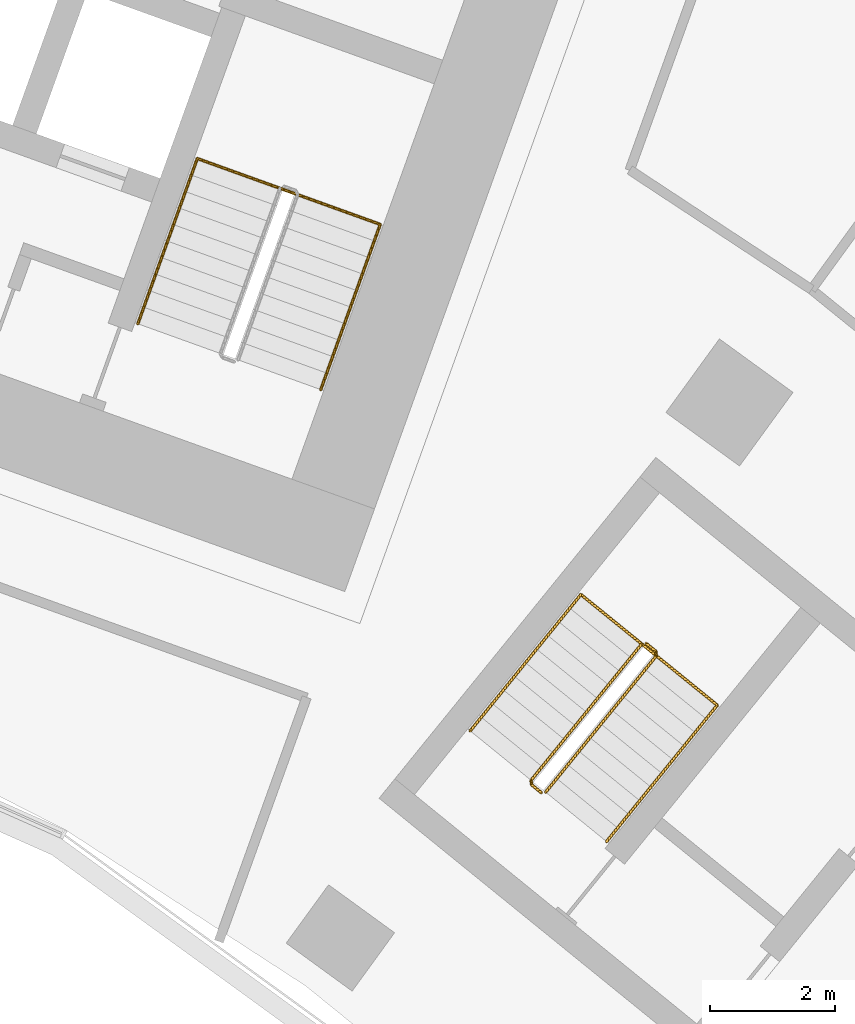
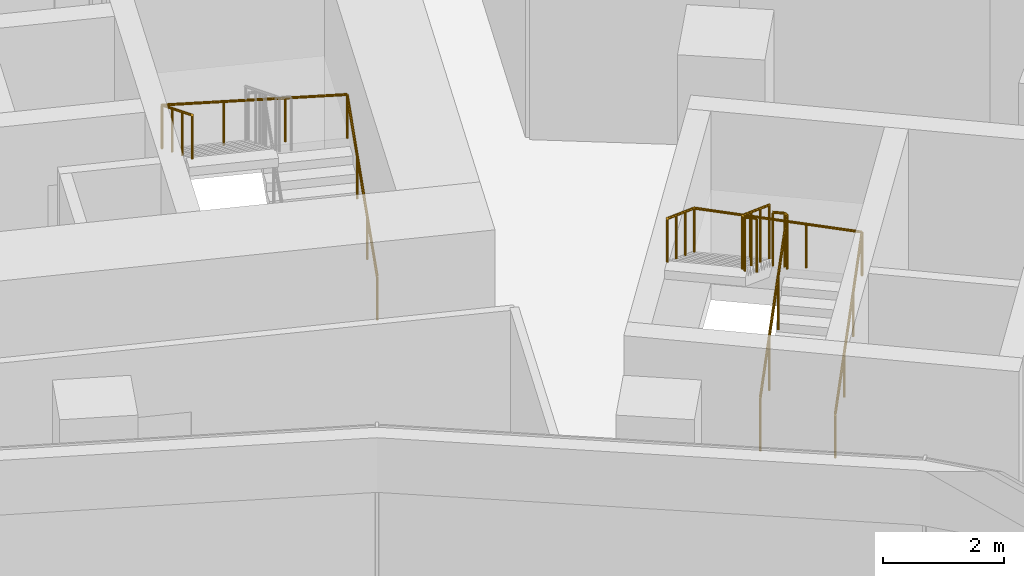
# One storey, part 21 of 21: 4 railings.
"""IFC4 building model written with IfcOpenShell, lengths in metres."""

from ifc_helpers import new_model, si_unit, direction, frame, origin, origin_2d, place, context, subcontext, project, spatial, circle, extrude, material, type_object, element, save


model = new_model("IFC4")

# Units and contexts
model_context = context("Model", 3, precision=1e-05, world=origin(), true_north=direction((0.0, 1.0)))
body_context = subcontext(model_context, "Body", "Model", "MODEL_VIEW")
ifc_project = project(units=[si_unit("LENGTHUNIT", "METRE"), si_unit("AREAUNIT", "SQUARE_METRE"), si_unit("VOLUMEUNIT", "CUBIC_METRE"), si_unit("PLANEANGLEUNIT", "RADIAN"), si_unit("MASSUNIT", "GRAM", prefix="KILO")], contexts=[model_context])

# Site, building, storey
site_placement = place(None, origin())
site = spatial("IfcSite", under=ifc_project, at=site_placement, CompositionType="ELEMENT")
building_placement = place(site_placement, origin())
building = spatial("IfcBuilding", under=site, at=building_placement, Name="Stone Belt Terrace Tower", CompositionType="ELEMENT")
storey_placement = place(building_placement, frame((0.0, 0.0, 90.800048828125)))
storey = spatial("IfcBuildingStorey", under=building, at=storey_placement, Name="L21", CompositionType="ELEMENT", Elevation=90.800048828125)

# Railings
ifc_material = material(Name="Structural steel C345", Category="steel")
railing_type_1 = type_object("IfcRailingType", Name="Stair guard 1100", PredefinedType="GUARDRAIL", material=ifc_material)
railing_1_placement = place(storey_placement, frame((29.39794921875, 38.281982421875, 0.172607421875)))
element("IfcRailing", 1, at=railing_1_placement, inside=storey, type_object=railing_type_1, Name="L21 ST3B stair guard 1", PredefinedType="GUARDRAIL", context=body_context, shape_type="SweptSolid", body=[
    extrude(circle(Radius=0.02392578125, at=origin_2d()), frame((0.0, 0.0, 1.076171875), z_axis=(0.536393061503, 0.660769759217, 0.525038864158), x_axis=(-0.776391310223, 0.630251166924, 0.0)), (0.0, 0.0, 1.0), 3.289794921875),
    extrude(circle(Radius=0.02392578125, at=origin_2d()), frame((1.7646484375, 2.173828125, 2.80322265625), z_axis=(-0.103251414163, 0.994655289773, 0.0), x_axis=(-0.994655289773, -0.103251414163, 0.0)), (0.0, 0.0, 1.0), 0.071044921875),
    extrude(circle(Radius=0.02392578125, at=origin_2d()), frame((1.75732421875, 2.244384765625, 2.80322265625), z_axis=(-0.776561986372, 0.630040856868, 0.0), x_axis=(-0.630040856868, -0.776561986372, 0.0)), (0.0, 0.0, 1.0), 0.199951171875),
    extrude(circle(Radius=0.02099609375, at=origin_2d()), origin(), (0.0, 0.0, 1.0), 1.052001953125),
    extrude(circle(Radius=0.02099609375, at=origin_2d()), frame((0.588134765625, 0.724609375, 0.57568359375)), (0.0, 0.0, 1.0), 1.052001953125),
    extrude(circle(Radius=0.02099609375, at=origin_2d()), frame((1.176513671875, 1.44921875, 1.151611328125)), (0.0, 0.0, 1.0), 1.052001953125),
    extrude(circle(Radius=0.02099609375, at=origin_2d()), frame((1.7646484375, 2.173828125, 1.727294921875)), (0.0, 0.0, 1.0), 1.052001953125),
    extrude(circle(Radius=0.02099609375, at=origin_2d()), frame((1.75732421875, 2.244384765625, 1.727294921875)), (0.0, 0.0, 1.0), 1.052001953125),
    extrude(circle(Radius=0.02099609375, at=origin_2d()), frame((1.60205078125, 2.370361328125, 1.727294921875)), (0.0, 0.0, 1.0), 1.052001953125),
])
railing_2_placement = place(storey_placement, frame((30.9296875, 40.64501953125, 2.07275390625)))
element("IfcRailing", 2, at=railing_2_placement, inside=storey, type_object=railing_type_1, Name="L21 ST3B stair guard 2", PredefinedType="GUARDRAIL", context=body_context, shape_type="SweptSolid", body=[
    extrude(circle(Radius=0.02392578125, at=origin_2d()), frame((0.0, 0.0, 1.076171875), z_axis=(-0.536366759382, -0.660811565066, 0.525013118792), x_axis=(0.776425942316, -0.630208502084, 0.0)), (0.0, 0.0, 1.0), 3.2900390625),
    extrude(circle(Radius=0.02392578125, at=origin_2d()), frame((-1.7646484375, -2.174072265625, 2.80322265625), z_axis=(0.103606084259, -0.994618408891, 0.0), x_axis=(0.994618408891, 0.103606084259, 0.0)), (0.0, 0.0, 1.0), 0.07080078125),
    extrude(circle(Radius=0.02392578125, at=origin_2d()), frame((-1.75732421875, -2.244384765625, 2.80322265625), z_axis=(0.776561986372, -0.630040856868, 0.0), x_axis=(0.630040856868, 0.776561986372, 0.0)), (0.0, 0.0, 1.0), 0.199951171875),
    extrude(circle(Radius=0.02099609375, at=origin_2d()), origin(), (0.0, 0.0, 1.0), 1.052001953125),
    extrude(circle(Radius=0.02099609375, at=origin_2d()), frame((-0.588134765625, -0.724609375, 0.57568359375)), (0.0, 0.0, 1.0), 1.052001953125),
    extrude(circle(Radius=0.02099609375, at=origin_2d()), frame((-1.176513671875, -1.449462890625, 1.151611328125)), (0.0, 0.0, 1.0), 1.052001953125),
    extrude(circle(Radius=0.02099609375, at=origin_2d()), frame((-1.7646484375, -2.174072265625, 1.727294921875)), (0.0, 0.0, 1.0), 1.052001953125),
    extrude(circle(Radius=0.02099609375, at=origin_2d()), frame((-1.75732421875, -2.244384765625, 1.727294921875)), (0.0, 0.0, 1.0), 1.052001953125),
    extrude(circle(Radius=0.02099609375, at=origin_2d()), frame((-1.60205078125, -2.370361328125, 1.727294921875)), (0.0, 0.0, 1.0), 1.052001953125),
])
railing_type_2 = type_object("IfcRailingType", Name="Stair handrail 900", PredefinedType="HANDRAIL", material=ifc_material)
railing_3_placement = place(storey_placement, frame((25.8115234375, 44.700439453125, 0.172607421875)))
element("IfcRailing", 3, at=railing_3_placement, inside=storey, type_object=railing_type_2, Name="L21 ST1B stair handrail 1", PredefinedType="HANDRAIL", context=body_context, shape_type="SweptSolid", body=[
    extrude(circle(Radius=0.02392578125, at=origin_2d()), frame((0.0, 0.0, 0.8759765625), z_axis=(0.288228637646, 0.800791768495, 0.525030280985), x_axis=(-0.940908529223, 0.338660803216, 0.0)), (0.0, 0.0, 1.0), 3.289794921875),
    extrude(circle(Radius=0.02392578125, at=origin_2d()), frame((0.9482421875, 2.634521484375, 2.60302734375), z_axis=(-0.939460408074, 0.338105101667, 0.055669398135), x_axis=(-0.338630230244, -0.940919532779, 0.0)), (0.0, 0.0, 1.0), 3.10498046875),
    extrude(circle(Radius=0.02392578125, at=origin_2d()), frame((-1.96875, 3.684326171875, 2.77587890625), z_axis=(-0.288160591223, -0.800808895155, 0.52504150989), x_axis=(0.940936311087, -0.338583606334, 0.0)), (0.0, 0.0, 1.0), 3.289794921875),
    extrude(circle(Radius=0.02099609375, at=origin_2d()), origin(), (0.0, 0.0, 1.0), 0.851806640625),
    extrude(circle(Radius=0.02099609375, at=origin_2d()), frame((0.316162109375, 0.878173828125, 0.57568359375)), (0.0, 0.0, 1.0), 0.851806640625),
    extrude(circle(Radius=0.02099609375, at=origin_2d()), frame((0.632080078125, 1.75634765625, 1.151611328125)), (0.0, 0.0, 1.0), 0.851806640625),
    extrude(circle(Radius=0.02099609375, at=origin_2d()), frame((0.9482421875, 2.634521484375, 1.727294921875)), (0.0, 0.0, 1.0), 0.851806640625),
    extrude(circle(Radius=0.02099609375, at=origin_2d()), frame((-0.024169921875, 2.984375, 1.784912109375)), (0.0, 0.0, 1.0), 0.851806640625),
    extrude(circle(Radius=0.02099609375, at=origin_2d()), frame((-0.996337890625, 3.33447265625, 1.842529296875)), (0.0, 0.0, 1.0), 0.851806640625),
    extrude(circle(Radius=0.02099609375, at=origin_2d()), frame((-1.96875, 3.684326171875, 1.900146484375)), (0.0, 0.0, 1.0), 0.851806640625),
    extrude(circle(Radius=0.02099609375, at=origin_2d()), frame((-2.28466796875, 2.80615234375, 2.475830078125)), (0.0, 0.0, 1.0), 0.851806640625),
    extrude(circle(Radius=0.02099609375, at=origin_2d()), frame((-2.600830078125, 1.927978515625, 3.0517578125)), (0.0, 0.0, 1.0), 0.851806640625),
    extrude(circle(Radius=0.02099609375, at=origin_2d()), frame((-2.916748046875, 1.0498046875, 3.62744140625)), (0.0, 0.0, 1.0), 0.851806640625),
])
railing_4_placement = place(storey_placement, frame((30.36865234375, 37.494140625, 0.172607421875)))
element("IfcRailing", 4, at=railing_4_placement, inside=storey, type_object=railing_type_2, Name="L21 ST3B stair handrail 1", PredefinedType="HANDRAIL", context=body_context, shape_type="SweptSolid", body=[
    extrude(circle(Radius=0.02392578125, at=origin_2d()), frame((0.0, 0.0, 0.8759765625), z_axis=(0.536366759382, 0.660811565066, 0.525013118792), x_axis=(-0.776425942316, 0.630208502084, 0.0)), (0.0, 0.0, 1.0), 3.2900390625),
    extrude(circle(Radius=0.02392578125, at=origin_2d()), frame((1.7646484375, 2.174072265625, 2.60302734375), z_axis=(-0.774950814199, 0.629011171817, 0.061613158501), x_axis=(-0.630208502084, -0.776425942316, 0.0)), (0.0, 0.0, 1.0), 2.805419921875),
    extrude(circle(Radius=0.02392578125, at=origin_2d()), frame((-0.409423828125, 3.938720703125, 2.77587890625), z_axis=(-0.536366759382, -0.660811565066, 0.525013118792), x_axis=(0.776425942316, -0.630208502084, 0.0)), (0.0, 0.0, 1.0), 3.2900390625),
    extrude(circle(Radius=0.02099609375, at=origin_2d()), origin(), (0.0, 0.0, 1.0), 0.851806640625),
    extrude(circle(Radius=0.02099609375, at=origin_2d()), frame((0.588134765625, 0.724609375, 0.57568359375)), (0.0, 0.0, 1.0), 0.851806640625),
    extrude(circle(Radius=0.02099609375, at=origin_2d()), frame((1.176513671875, 1.449462890625, 1.151611328125)), (0.0, 0.0, 1.0), 0.851806640625),
    extrude(circle(Radius=0.02099609375, at=origin_2d()), frame((1.7646484375, 2.174072265625, 1.727294921875)), (0.0, 0.0, 1.0), 0.851806640625),
    extrude(circle(Radius=0.02099609375, at=origin_2d()), frame((1.0400390625, 2.76220703125, 1.784912109375)), (0.0, 0.0, 1.0), 0.851806640625),
    extrude(circle(Radius=0.02099609375, at=origin_2d()), frame((0.315185546875, 3.3505859375, 1.842529296875)), (0.0, 0.0, 1.0), 0.851806640625),
    extrude(circle(Radius=0.02099609375, at=origin_2d()), frame((-0.409423828125, 3.938720703125, 1.900146484375)), (0.0, 0.0, 1.0), 0.851806640625),
    extrude(circle(Radius=0.02099609375, at=origin_2d()), frame((-0.99755859375, 3.214111328125, 2.475830078125)), (0.0, 0.0, 1.0), 0.851806640625),
    extrude(circle(Radius=0.02099609375, at=origin_2d()), frame((-1.5859375, 2.4892578125, 3.0517578125)), (0.0, 0.0, 1.0), 0.851806640625),
    extrude(circle(Radius=0.02099609375, at=origin_2d()), frame((-2.174072265625, 1.7646484375, 3.62744140625)), (0.0, 0.0, 1.0), 0.851806640625),
])

save(model, "model.ifc")
